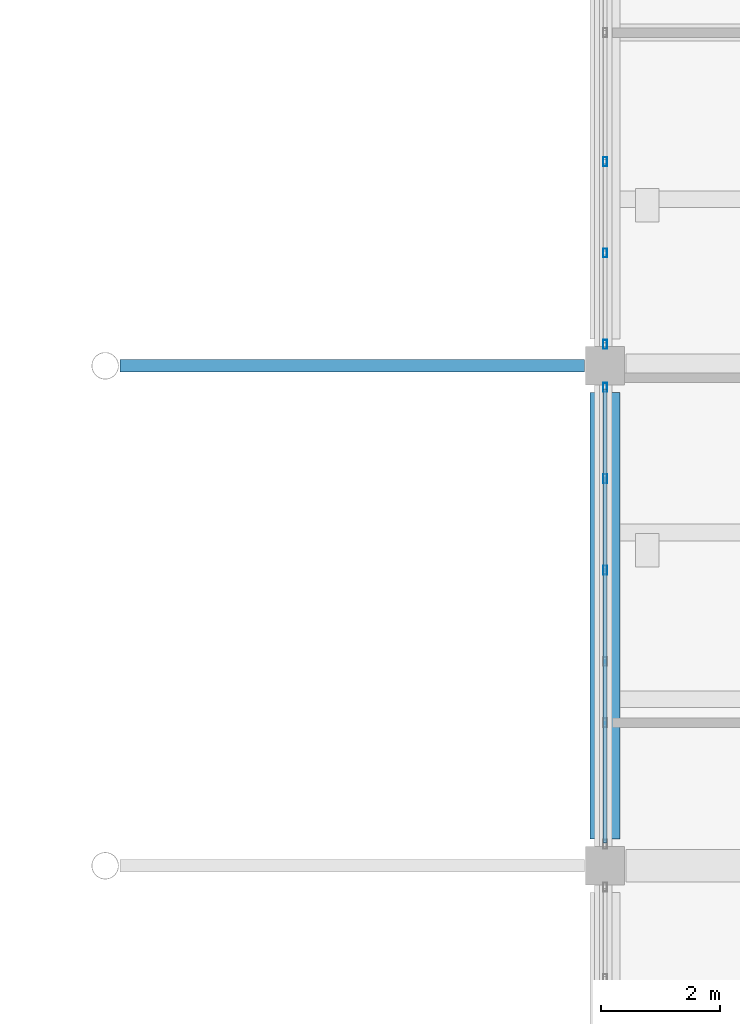
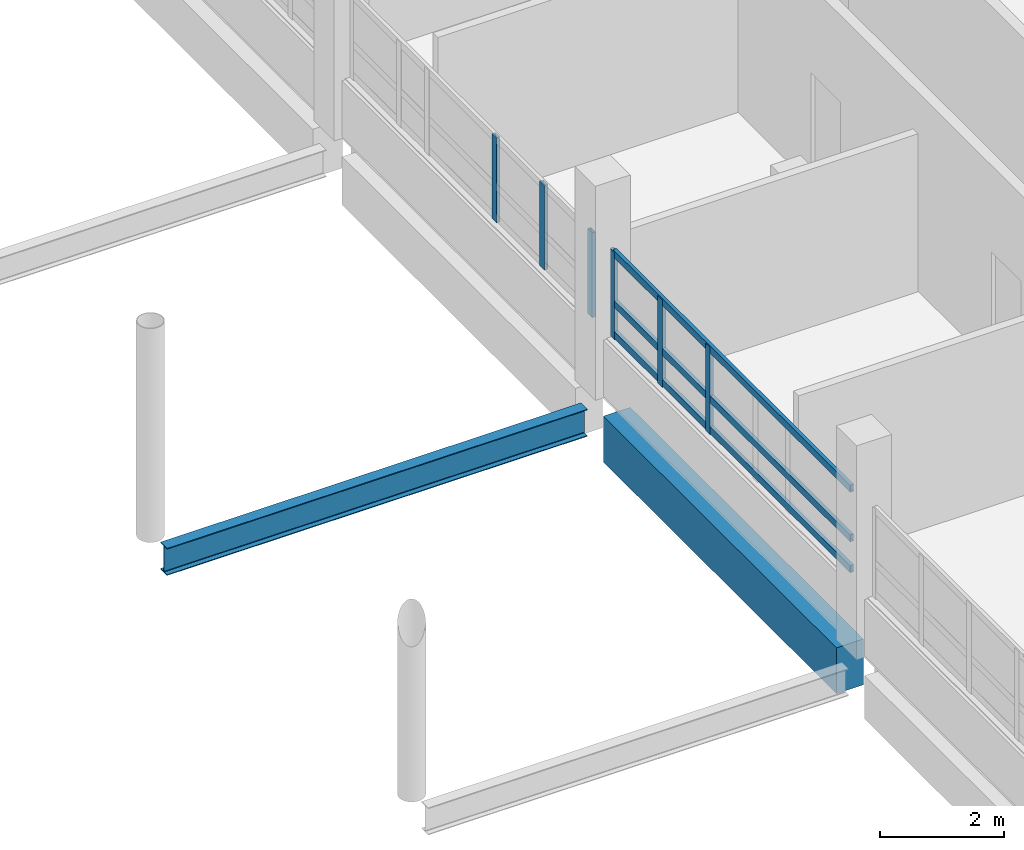
# One storey, part 32 of 101: 9 members, 2 beams, 2 elements without a shape of their own.
"""IFC4 building model written with IfcOpenShell, lengths in metres."""

from ifc_helpers import new_model, si_unit, direction, frame, origin, origin_2d, place, context, subcontext, project, spatial, rectangle, hollow_rectangle, i_section, extrude, material, layer, layer_set, material_profile, profile_set, type_object, element, aggregate, save


model = new_model("IFC4")

# Units and contexts
model_context = context("Model", 3, precision=1e-05, world=origin(), true_north=direction((0.0, 1.0)))
body_context = subcontext(model_context, "Body", "Model", "MODEL_VIEW")
ifc_project = project(units=[si_unit("LENGTHUNIT", "METRE"), si_unit("AREAUNIT", "SQUARE_METRE"), si_unit("VOLUMEUNIT", "CUBIC_METRE"), si_unit("PLANEANGLEUNIT", "RADIAN"), si_unit("MASSUNIT", "GRAM", prefix="KILO")], contexts=[model_context])

# Site, building, storey
site_placement = place(None, origin())
site = spatial("IfcSite", under=ifc_project, at=site_placement, CompositionType="ELEMENT")
building_placement = place(site_placement, origin())
building = spatial("IfcBuilding", under=site, at=building_placement, Name="Vireocrest Preparatory School", CompositionType="ELEMENT")
storey_placement = place(building_placement, frame((0.0, 0.0, 4.800048828125)))
storey = spatial("IfcBuildingStorey", under=building, at=storey_placement, Name="L01", CompositionType="ELEMENT", Elevation=4.800048828125)

# Curtain wall, members
ifc_material_1 = material(Name="Thermally broken aluminium EN AW-6063-T6", Category="aluminium")
ifc_layer = layer(ifc_material_1, 0.179931640625)
ifc_layer_set = layer_set([ifc_layer], Name="Thermally broken aluminium EN AW-6063-T6")
curtain_wall_type = type_object("IfcCurtainWallType", Name="Court Banded Curtain Wall 8400x3000", PredefinedType="USERDEFINED", material=ifc_layer_set)
curtain_wall_1_placement = place(storey_placement, origin())
curtain_wall_1 = element("IfcCurtainWall", 1, at=curtain_wall_1_placement, inside=storey, type_object=curtain_wall_type, Name="Curtain Wall CW02 CW_L01_CW02_0924_0441_060", ObjectType="CURTAIN WALL", PredefinedType="USERDEFINED")
ifc_material_profile_1 = material_profile(ifc_material_1, hollow_rectangle(XDim=0.06494140625, YDim=0.14990234375, WallThickness=0.00390625, at=origin_2d()), Name="ALU 65x150x4")
ifc_profile_set_1 = profile_set([ifc_material_profile_1], Name="Thermally broken aluminium EN AW-6063-T6")
member_type_1 = type_object("IfcMemberType", Name="CW Mullion 65x150x4", PredefinedType="MULLION", material=ifc_profile_set_1)
member_1_placement = place(storey_placement, frame((92.39990234375, 48.76806640625, 1.14990234375), z_axis=(0.0, 0.0, 1.0), x_axis=(1.0, 0.0, 0.0)))
member_1 = element("IfcMember", 2, at=member_1_placement, type_object=member_type_1, Name="CW Mullion ML1 CW_L01_CW02_0924_0441_060-4", PredefinedType="MULLION", context=body_context, shape_type="SweptSolid", body=[
    extrude(hollow_rectangle(XDim=0.06494140625, YDim=0.14990234375, WallThickness=0.00390625, at=origin_2d()), origin(), (0.0, 0.0, 1.0), 1.715087890625),
])
member_2_placement = place(storey_placement, frame((92.39990234375, 50.303955078125, 1.14990234375), z_axis=(0.0, 0.0, 1.0), x_axis=(1.0, 0.0, 0.0)))
member_2 = element("IfcMember", 3, at=member_2_placement, type_object=member_type_1, Name="CW Mullion ML1 CW_L01_CW02_0924_0441_060-5", PredefinedType="MULLION", context=body_context, shape_type="SweptSolid", body=[
    extrude(hollow_rectangle(XDim=0.06494140625, YDim=0.14990234375, WallThickness=0.00390625, at=origin_2d()), origin(), (0.0, 0.0, 1.0), 1.715087890625),
])
member_3_placement = place(storey_placement, frame((92.39990234375, 51.840087890625, 1.14990234375), z_axis=(0.0, 0.0, 1.0), x_axis=(1.0, 0.0, 0.0)))
member_3 = element("IfcMember", 4, at=member_3_placement, type_object=member_type_1, Name="CW Mullion ML1 CW_L01_CW02_0924_0441_060-6", PredefinedType="MULLION", context=body_context, shape_type="SweptSolid", body=[
    extrude(hollow_rectangle(XDim=0.06494140625, YDim=0.14990234375, WallThickness=0.00390625, at=origin_2d()), origin(), (0.0, 0.0, 1.0), 1.715087890625),
])

curtain_wall_2_placement = place(storey_placement, origin())
curtain_wall_2 = element("IfcCurtainWall", 5, at=curtain_wall_2_placement, inside=storey, type_object=curtain_wall_type, Name="Curtain Wall CW02 CW_L01_CW02_0924_0525_060", ObjectType="CURTAIN WALL", PredefinedType="USERDEFINED")
member_4_placement = place(storey_placement, frame((92.39990234375, 52.56005859375, 1.14990234375), z_axis=(0.0, 0.0, 1.0), x_axis=(1.0, 0.0, 0.0)))
member_4 = element("IfcMember", 6, at=member_4_placement, type_object=member_type_1, Name="CW Mullion ML1 CW_L01_CW02_0924_0525_060-1", PredefinedType="MULLION", context=body_context, shape_type="SweptSolid", body=[
    extrude(hollow_rectangle(XDim=0.06494140625, YDim=0.14990234375, WallThickness=0.00390625, at=origin_2d()), origin(), (0.0, 0.0, 1.0), 1.6650390625),
])
member_5_placement = place(storey_placement, frame((92.39990234375, 54.095947265625, 1.14990234375), z_axis=(0.0, 0.0, 1.0), x_axis=(1.0, 0.0, 0.0)))
member_5 = element("IfcMember", 7, at=member_5_placement, type_object=member_type_1, Name="CW Mullion ML1 CW_L01_CW02_0924_0525_060-2", PredefinedType="MULLION", context=body_context, shape_type="SweptSolid", body=[
    extrude(hollow_rectangle(XDim=0.06494140625, YDim=0.14990234375, WallThickness=0.00390625, at=origin_2d()), origin(), (0.0, 0.0, 1.0), 1.6650390625),
])
member_6_placement = place(storey_placement, frame((92.39990234375, 55.632080078125, 1.14990234375), z_axis=(0.0, 0.0, 1.0), x_axis=(1.0, 0.0, 0.0)))
member_6 = element("IfcMember", 8, at=member_6_placement, type_object=member_type_1, Name="CW Mullion ML1 CW_L01_CW02_0924_0525_060-3", PredefinedType="MULLION", context=body_context, shape_type="SweptSolid", body=[
    extrude(hollow_rectangle(XDim=0.06494140625, YDim=0.14990234375, WallThickness=0.00390625, at=origin_2d()), origin(), (0.0, 0.0, 1.0), 1.6650390625),
])
aggregate(curtain_wall_2, [member_4, member_5, member_6])

# Member
ifc_material_profile_2 = material_profile(ifc_material_1, hollow_rectangle(XDim=0.06494140625, YDim=0.139892578125, WallThickness=0.00390625, at=origin_2d()), Name="ALU 65x140x4")
ifc_profile_set_2 = profile_set([ifc_material_profile_2], Name="Thermally broken aluminium EN AW-6063-T6")
member_type_2 = type_object("IfcMemberType", Name="CW Transom 65x140x4", PredefinedType="USERDEFINED", material=ifc_profile_set_2)
member_7_placement = place(storey_placement, frame((92.39990234375, 44.18505859375, 1.244873046875), z_axis=(0.0, 1.0, 0.0), x_axis=(-1.0, 0.0, 0.0)))
member_7 = element("IfcMember", 9, at=member_7_placement, type_object=member_type_2, Name="CW Transom TR1 CW_L01_CW02_0924_0441_060-1", ObjectType="TRANSOM", PredefinedType="USERDEFINED", context=body_context, shape_type="SweptSolid", body=[
    extrude(hollow_rectangle(XDim=0.06494140625, YDim=0.139892578125, WallThickness=0.00390625, at=origin_2d()), origin(), (0.0, 0.0, 1.0), 7.6298828125),
])

member_8_placement = place(storey_placement, frame((92.39990234375, 44.18505859375, 1.849853515625), z_axis=(0.0, 1.0, 0.0), x_axis=(-1.0, 0.0, 0.0)))
member_8 = element("IfcMember", 10, at=member_8_placement, type_object=member_type_2, Name="CW Transom TR1 CW_L01_CW02_0924_0441_060-2", ObjectType="TRANSOM", PredefinedType="USERDEFINED", context=body_context, shape_type="SweptSolid", body=[
    extrude(hollow_rectangle(XDim=0.06494140625, YDim=0.139892578125, WallThickness=0.00390625, at=origin_2d()), origin(), (0.0, 0.0, 1.0), 7.6298828125),
])

member_9_placement = place(storey_placement, frame((92.39990234375, 44.18505859375, 2.824951171875), z_axis=(0.0, 1.0, 0.0), x_axis=(-1.0, 0.0, 0.0)))
member_9 = element("IfcMember", 11, at=member_9_placement, type_object=member_type_2, Name="CW Transom TR1 CW_L01_CW02_0924_0441_060-3", ObjectType="TRANSOM", PredefinedType="USERDEFINED", context=body_context, shape_type="SweptSolid", body=[
    extrude(hollow_rectangle(XDim=0.06494140625, YDim=0.139892578125, WallThickness=0.00390625, at=origin_2d()), origin(), (0.0, 0.0, 1.0), 7.6298828125),
])

aggregate(curtain_wall_1, [member_1, member_2, member_3, member_7, member_8, member_9])

# Beams
ifc_material_2 = material(Name="Structural steel ASTM A992 Grade 50", Category="steel")
ifc_material_profile_3 = material_profile(ifc_material_2, i_section(OverallWidth=0.208984375, OverallDepth=0.532958984375, WebThickness=0.01025390625, FlangeThickness=0.015625, FilletRadius=0.014892578125, at=origin_2d()), Name="W21X62")
ifc_profile_set_3 = profile_set([ifc_material_profile_3], Name="Structural steel ASTM A992 Grade 50")
beam_type_1 = type_object("IfcBeamType", Name="Court Tie Girder W21X62", PredefinedType="BEAM", material=ifc_profile_set_3)
beam_1_placement = place(storey_placement, frame((84.2490234375, 52.199951171875, -0.566650390625), z_axis=(1.0, 0.0, 0.0), x_axis=(0.0, 1.0, 0.0)))
element("IfcBeam", 12, at=beam_1_placement, inside=storey, type_object=beam_type_1, Name="Court Trunk Lateral Tie Girder SB5 E4 L01", PredefinedType="BEAM", context=body_context, shape_type="SweptSolid", body=[
    extrude(i_section(OverallWidth=0.208984375, OverallDepth=0.532958984375, WebThickness=0.01025390625, FlangeThickness=0.015625, FilletRadius=0.014892578125, at=origin_2d()), origin(), (0.0, 0.0, 1.0), 7.805908203125),
])
ifc_material_3 = material(Name="Concrete 40 MPa", Category="concrete")
ifc_material_profile_4 = material_profile(ifc_material_3, rectangle(XDim=0.5, YDim=0.89990234375, at=origin_2d()), Name="RC 500x900")
ifc_profile_set_4 = profile_set([ifc_material_profile_4], Name="Concrete 40 MPa")
beam_type_2 = type_object("IfcBeamType", Name="RC Podium Girder 500x900", PredefinedType="BEAM", material=ifc_profile_set_4)
beam_2_placement = place(storey_placement, frame((92.39990234375, 44.25, -0.7099609375), z_axis=(0.0, 1.0, 0.0), x_axis=(-1.0, 0.0, 0.0)))
element("IfcBeam", 13, at=beam_2_placement, inside=storey, type_object=beam_type_2, Name="Primary Girder B15 L01-0440", PredefinedType="BEAM", context=body_context, shape_type="SweptSolid", body=[
    extrude(rectangle(XDim=0.5, YDim=0.89990234375, at=origin_2d()), origin(), (0.0, 0.0, 1.0), 7.5),
])

save(model, "model.ifc")
